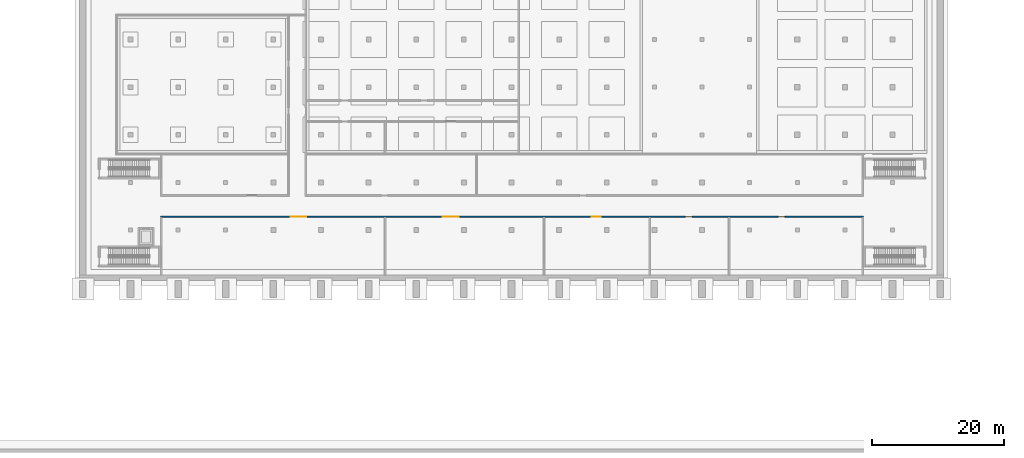
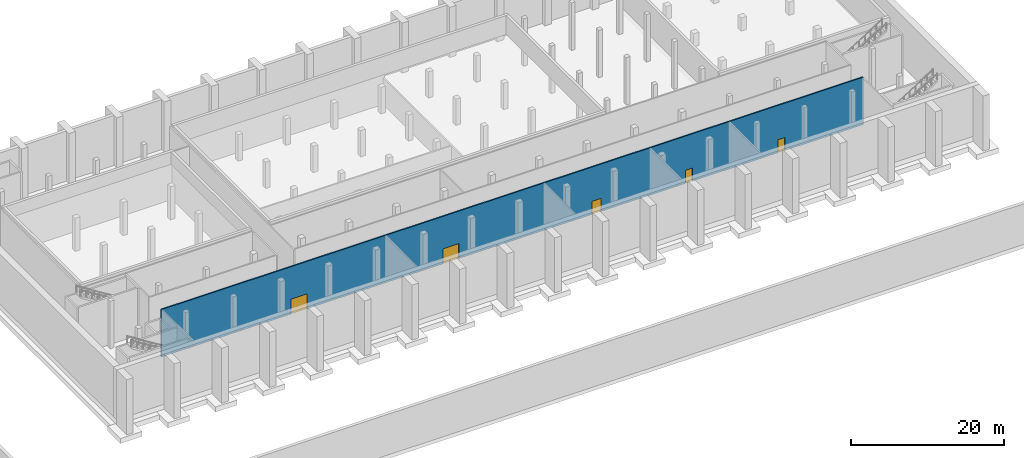
# One storey, part 6 of 14: 5 doors, 1 wall, 5 openings.
"""IFC4 building model written with IfcOpenShell, lengths in metres."""

from ifc_helpers import new_model, si_unit, direction, frame, frame_2d, origin, place, context, subcontext, project, spatial, rectangle, extrude, material, layer, layer_set, type_object, element, fill, save


model = new_model("IFC4")

# Units and contexts
model_context = context("Model", 3, precision=1e-05, world=origin(), true_north=direction((0.0, 1.0)))
body_context = subcontext(model_context, "Body", "Model", "MODEL_VIEW")
ifc_project = project(units=[si_unit("LENGTHUNIT", "METRE"), si_unit("AREAUNIT", "SQUARE_METRE"), si_unit("VOLUMEUNIT", "CUBIC_METRE"), si_unit("PLANEANGLEUNIT", "RADIAN"), si_unit("MASSUNIT", "GRAM", prefix="KILO")], contexts=[model_context])

# Site, building, storey
site_placement = place(None, origin())
site = spatial("IfcSite", under=ifc_project, at=site_placement, CompositionType="ELEMENT")
building_placement = place(site_placement, origin())
building = spatial("IfcBuilding", under=site, at=building_placement, Name="Vermilion Court Aquatics Centre", CompositionType="ELEMENT")
storey_placement = place(building_placement, frame((0.0, 0.0, -8.0)))
storey = spatial("IfcBuildingStorey", under=building, at=storey_placement, Name="B1", CompositionType="ELEMENT", Elevation=-8.0)

# Wall, openings, doors
ifc_material_1 = material(Name="Concrete masonry ASTM C90 Type I", Category="masonry")
ifc_layer = layer(ifc_material_1, 0.199951171875)
ifc_layer_set = layer_set([ifc_layer], Name="Hall plant partition 200")
wall_type = type_object("IfcWallType", Name="Hall plant partition 200", PredefinedType="PARTITIONING", material=ifc_layer_set)
wall_placement = place(storey_placement, frame((26.14990234375, 23.60009765625, 0.0), z_axis=(0.0, 0.0, 1.0), x_axis=(1.0, 0.0, 0.0)))
wall = element("IfcWall", 1, at=wall_placement, inside=storey, type_object=wall_type, Name="Plant partition", PredefinedType="PARTITIONING", context=body_context, shape_type="SweptSolid", body=[
    extrude(rectangle(XDim=106.25, YDim=0.199951171875, at=frame_2d((53.125, 0.0))), origin(), (0.0, 0.0, 1.0), 7.594970703125),
])
opening_1_placement = place(wall_placement, frame((19.64990234375, 0.0, 0.0)))
opening_1 = element("IfcOpeningElement", 2, at=opening_1_placement, cuts=wall, Name="Opening HB1-001", PredefinedType="OPENING", context=body_context, shape_type="SweptSolid", body=[
    extrude(rectangle(XDim=2.39990234375, YDim=2.39990234375, at=frame_2d((1.199951171875, 1.199951171875))), frame((0.0, 0.10986328125, 0.0), z_axis=(0.0, -1.0, 0.0), x_axis=(1.0, 0.0, 0.0)), (0.0, 0.0, 1.0), 0.219970703125),
])
opening_2_placement = place(wall_placement, frame((42.64990234375, 0.0, 0.0)))
opening_2 = element("IfcOpeningElement", 3, at=opening_2_placement, cuts=wall, Name="Opening HB1-002", PredefinedType="OPENING", context=body_context, shape_type="SweptSolid", body=[
    extrude(rectangle(XDim=2.39990234375, YDim=2.39990234375, at=frame_2d((1.199951171875, 1.199951171875))), frame((0.0, 0.10986328125, 0.0), z_axis=(0.0, -1.0, 0.0), x_axis=(1.0, 0.0, 0.0)), (0.0, 0.0, 1.0), 0.219970703125),
])
opening_3_placement = place(wall_placement, frame((65.14990234375, 0.0, 0.0)))
opening_3 = element("IfcOpeningElement", 4, at=opening_3_placement, cuts=wall, Name="Opening HB1-003", PredefinedType="OPENING", context=body_context, shape_type="SweptSolid", body=[
    extrude(rectangle(XDim=1.39990234375, YDim=2.10009765625, at=frame_2d((0.699951171875, 1.050048828125))), frame((0.0, 0.10986328125, 0.0), z_axis=(0.0, -1.0, 0.0), x_axis=(1.0, 0.0, 0.0)), (0.0, 0.0, 1.0), 0.219970703125),
])
opening_4_placement = place(wall_placement, frame((79.35009765625, 0.0, 0.0)))
opening_4 = element("IfcOpeningElement", 5, at=opening_4_placement, cuts=wall, Name="Opening HB1-004", PredefinedType="OPENING", context=body_context, shape_type="SweptSolid", body=[
    extrude(rectangle(XDim=1.0, YDim=2.10009765625, at=frame_2d((0.5, 1.050048828125))), frame((0.0, 0.10986328125, 0.0), z_axis=(0.0, -1.0, 0.0), x_axis=(1.0, 0.0, 0.0)), (0.0, 0.0, 1.0), 0.219970703125),
])
opening_5_placement = place(wall_placement, frame((93.35009765625, 0.0, 0.0)))
opening_5 = element("IfcOpeningElement", 6, at=opening_5_placement, cuts=wall, Name="Opening HB1-005", PredefinedType="OPENING", context=body_context, shape_type="SweptSolid", body=[
    extrude(rectangle(XDim=1.0, YDim=2.10009765625, at=frame_2d((0.5, 1.050048828125))), frame((0.0, 0.10986328125, 0.0), z_axis=(0.0, -1.0, 0.0), x_axis=(1.0, 0.0, 0.0)), (0.0, 0.0, 1.0), 0.219970703125),
])
ifc_material_2 = material(Name="Hollow metal")
door_type_1 = type_object("IfcDoorType", Name="Hall equipment double door 2400x2400", OperationType="DOUBLE_DOOR_SINGLE_SWING", PredefinedType="DOOR", material=ifc_material_2)
door_1_placement = place(opening_1_placement, frame((2.39990234375, 0.0, 0.0), z_axis=(0.0, 0.0, 1.0), x_axis=(-1.0, 0.0, 0.0)))
door_1 = element("IfcDoor", 7, at=door_1_placement, inside=storey, type_object=door_type_1, Name="Door Natatorium Air Handling Plant", OperationType="DOUBLE_DOOR_SINGLE_SWING", OverallHeight=2.39990234375, OverallWidth=2.39990234375, PredefinedType="DOOR", context=body_context, shape_type="SweptSolid", body=[
    extrude(rectangle(XDim=2.39990234375, YDim=2.39990234375, at=frame_2d((1.199951171875, 1.199951171875))), frame((0.0, 0.025146484375, 0.0), z_axis=(0.0, -1.0, 0.0), x_axis=(1.0, 0.0, 0.0)), (0.0, 0.0, 1.0), 0.050048828125),
])
fill(opening_1, door_1)
door_2_placement = place(opening_2_placement, frame((2.39990234375, 0.0, 0.0), z_axis=(0.0, 0.0, 1.0), x_axis=(-1.0, 0.0, 0.0)))
door_2 = element("IfcDoor", 8, at=door_2_placement, inside=storey, type_object=door_type_1, Name="Door Chiller Room", OperationType="DOUBLE_DOOR_SINGLE_SWING", OverallHeight=2.39990234375, OverallWidth=2.39990234375, PredefinedType="DOOR", context=body_context, shape_type="SweptSolid", body=[
    extrude(rectangle(XDim=2.39990234375, YDim=2.39990234375, at=frame_2d((1.199951171875, 1.199951171875))), frame((0.0, 0.025146484375, 0.0), z_axis=(0.0, -1.0, 0.0), x_axis=(1.0, 0.0, 0.0)), (0.0, 0.0, 1.0), 0.050048828125),
])
fill(opening_2, door_2)
ifc_material_3 = material(Name="Hollow metal")
door_type_2 = type_object("IfcDoorType", Name="Hall single door 1000x2100", OperationType="NOTDEFINED", PredefinedType="DOOR", material=ifc_material_3)
door_3_placement = place(opening_4_placement, frame((1.0, 0.0, 0.0), z_axis=(0.0, 0.0, 1.0), x_axis=(-1.0, 0.0, 0.0)))
door_3 = element("IfcDoor", 9, at=door_3_placement, inside=storey, type_object=door_type_2, Name="Door Maintenance Store", OperationType="SINGLE_SWING_LEFT", OverallHeight=2.10009765625, OverallWidth=1.0, PredefinedType="DOOR", context=body_context, shape_type="SweptSolid", body=[
    extrude(rectangle(XDim=1.0, YDim=2.10009765625, at=frame_2d((0.5, 1.050048828125))), frame((0.0, 0.025146484375, 0.0), z_axis=(0.0, -1.0, 0.0), x_axis=(1.0, 0.0, 0.0)), (0.0, 0.0, 1.0), 0.050048828125),
])
fill(opening_4, door_3)
door_4_placement = place(opening_5_placement, frame((1.0, 0.0, 0.0), z_axis=(0.0, 0.0, 1.0), x_axis=(-1.0, 0.0, 0.0)))
door_4 = element("IfcDoor", 10, at=door_4_placement, inside=storey, type_object=door_type_2, Name="Door Boiler Room", OperationType="SINGLE_SWING_LEFT", OverallHeight=2.10009765625, OverallWidth=1.0, PredefinedType="DOOR", context=body_context, shape_type="SweptSolid", body=[
    extrude(rectangle(XDim=1.0, YDim=2.10009765625, at=frame_2d((0.5, 1.050048828125))), frame((0.0, 0.025146484375, 0.0), z_axis=(0.0, -1.0, 0.0), x_axis=(1.0, 0.0, 0.0)), (0.0, 0.0, 1.0), 0.050048828125),
])
fill(opening_5, door_4)
ifc_material_4 = material(Name="Hollow metal")
door_type_3 = type_object("IfcDoorType", Name="Hall switchgear door 1400x2100", OperationType="DOUBLE_DOOR_SINGLE_SWING", PredefinedType="DOOR", material=ifc_material_4)
door_5_placement = place(opening_3_placement, frame((1.39990234375, 0.0, 0.0), z_axis=(0.0, 0.0, 1.0), x_axis=(-1.0, 0.0, 0.0)))
door_5 = element("IfcDoor", 11, at=door_5_placement, inside=storey, type_object=door_type_3, Name="Door Electrical Room", OperationType="DOUBLE_DOOR_SINGLE_SWING", OverallHeight=2.10009765625, OverallWidth=1.39990234375, PredefinedType="DOOR", context=body_context, shape_type="SweptSolid", body=[
    extrude(rectangle(XDim=1.39990234375, YDim=2.10009765625, at=frame_2d((0.699951171875, 1.050048828125))), frame((0.0, 0.025146484375, 0.0), z_axis=(0.0, -1.0, 0.0), x_axis=(1.0, 0.0, 0.0)), (0.0, 0.0, 1.0), 0.050048828125),
])
fill(opening_3, door_5)

save(model, "model.ifc")
